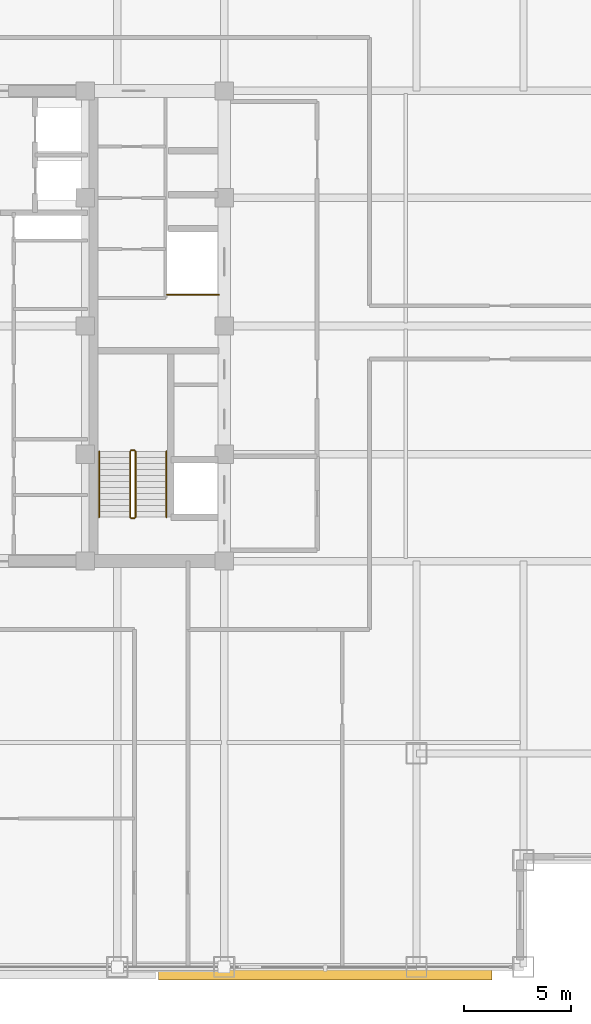
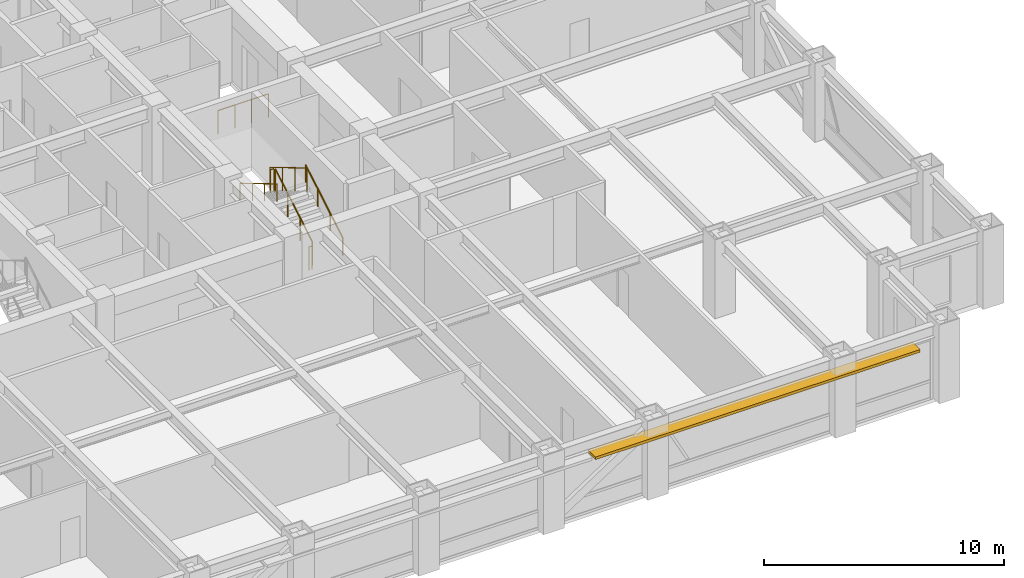
# One storey, part 27 of 29: 7 railings, 1 shading device.
"""IFC4 building model written with IfcOpenShell, lengths in metres."""

from ifc_helpers import new_model, si_unit, direction, frame, origin, origin_2d, place, context, subcontext, project, spatial, rectangle, circle, extrude, source, transform, mapped, material, layer, layer_set, type_object, element, save


model = new_model("IFC4")

# Units and contexts
model_context = context("Model", 3, precision=1e-05, world=origin(), true_north=direction((0.0, 1.0)))
body_context = subcontext(model_context, "Body", "Model", "MODEL_VIEW")
ifc_project = project(units=[si_unit("LENGTHUNIT", "METRE"), si_unit("AREAUNIT", "SQUARE_METRE"), si_unit("VOLUMEUNIT", "CUBIC_METRE"), si_unit("PLANEANGLEUNIT", "RADIAN"), si_unit("MASSUNIT", "GRAM", prefix="KILO")], contexts=[model_context])

# Site, building, storey
site_placement = place(None, origin())
site = spatial("IfcSite", under=ifc_project, at=site_placement, CompositionType="ELEMENT")
building_placement = place(site_placement, origin())
building = spatial("IfcBuilding", under=site, at=building_placement, Name="Khorayat Bourse Tower", CompositionType="ELEMENT")
storey_placement = place(building_placement, frame((0.0, 0.0, 243.10009765625)))
storey = spatial("IfcBuildingStorey", under=building, at=storey_placement, Name="L57", CompositionType="ELEMENT", Elevation=243.10009765625)

# Shading device
ifc_material_1 = material(Name="Precast concrete C45/55", Category="concrete")
ifc_layer = layer(ifc_material_1, 0.139892578125)
ifc_layer_set = layer_set([ifc_layer], Name="Precast concrete C45/55")
shading_device_type = type_object("IfcShadingDeviceType", Name="SHD-WAVE-TRAY-A", PredefinedType="USERDEFINED", material=ifc_layer_set)
shared_shape_1 = source(origin(), body_context, "Body", "SweptSolid", [
    extrude(rectangle(XDim=15.59326171875, YDim=0.626220703125, at=origin_2d()), origin(), (0.0, 0.0, 1.0), 0.139892578125),
])
shading_device_placement = place(storey_placement, frame((15.7333984375, -30.293212890625, 3.02978515625), z_axis=(0.0, 0.0, 1.0), x_axis=(1.0, 0.0, 0.0)))
element("IfcShadingDevice", 1, at=shading_device_placement, inside=storey, type_object=shading_device_type, Name="L57 Sinusoidal Wave Sunshade Tray S-3", ObjectType="SUNSHADE", PredefinedType="USERDEFINED", context=body_context, shape_type="MappedRepresentation", body=[
    mapped(shared_shape_1, transform((0.0, 0.0, 0.0), scale=1.0)),
])

# Railings
ifc_material_2 = material(Name="Powder-coated steel balustrade", Category="steel")
railing_type_1 = type_object("IfcRailingType", Name="RLG-GUARD-1200", PredefinedType="GUARDRAIL", material=ifc_material_2)
shared_shape_2 = source(origin(), body_context, "Body", "SweptSolid", [
    extrude(circle(Radius=0.02392578125, at=origin_2d()), frame((0.0, 0.0, 1.17578125), z_axis=(-1.0, 0.0, 0.0), x_axis=(0.0, -1.0, 0.0)), (0.0, 0.0, 1.0), 0.150146484375),
    extrude(circle(Radius=0.02099609375, at=origin_2d()), origin(), (0.0, 0.0, 1.0), 1.15185546875),
    extrude(circle(Radius=0.02099609375, at=origin_2d()), frame((-0.150146484375, 0.0, 0.0)), (0.0, 0.0, 1.0), 1.15185546875),
])
for number, where, name in (
    (2, (6.800048828125, -5.820068359375, 2.0), "L57 ST-3 stair guard 2"),
    (3, (6.800048828125, -9.0, 0.0), "L57 ST-3 stair guard 4"),
):
    element("IfcRailing", number, at=place(storey_placement, frame(where)), inside=storey, type_object=railing_type_1, Name=name, PredefinedType="GUARDRAIL", context=body_context, shape_type="MappedRepresentation", body=[
        mapped(shared_shape_2, transform((0.0, 0.0, 0.0), scale=1.0)),
    ])
shared_shape_3 = source(origin(), body_context, "Body", "SweptSolid", [
    extrude(circle(Radius=0.02392578125, at=origin_2d()), frame((0.0, 0.0, 1.17578125), z_axis=(0.0, 0.859260807169, 0.511537745687), x_axis=(-1.0, 0.0, 0.0)), (0.0, 0.0, 1.0), 3.584228515625),
    extrude(circle(Radius=0.02099609375, at=origin_2d()), origin(), (0.0, 0.0, 1.0), 1.15185546875),
    extrude(circle(Radius=0.02099609375, at=origin_2d()), frame((0.0, 1.026611328125, 0.611083984375)), (0.0, 0.0, 1.0), 1.15185546875),
    extrude(circle(Radius=0.02099609375, at=origin_2d()), frame((0.0, 2.05322265625, 1.222412109375)), (0.0, 0.0, 1.0), 1.15185546875),
    extrude(circle(Radius=0.02099609375, at=origin_2d()), frame((0.0, 3.079833984375, 1.83349609375)), (0.0, 0.0, 1.0), 1.15185546875),
])
railing_1_placement = place(storey_placement, frame((6.85009765625, -8.949951171875, 0.16650390625)))
element("IfcRailing", 4, at=railing_1_placement, inside=storey, type_object=railing_type_1, Name="L57 ST-3 stair guard 1", PredefinedType="GUARDRAIL", context=body_context, shape_type="MappedRepresentation", body=[
    mapped(shared_shape_3, transform((0.0, 0.0, 0.0), scale=1.0)),
])
shared_shape_4 = source(origin(), body_context, "Body", "SweptSolid", [
    extrude(circle(Radius=0.02392578125, at=origin_2d()), frame((0.0, 0.0, 1.17578125), z_axis=(0.0, -0.859260807169, 0.511537745687), x_axis=(1.0, 0.0, 0.0)), (0.0, 0.0, 1.0), 3.584228515625),
    extrude(circle(Radius=0.02099609375, at=origin_2d()), origin(), (0.0, 0.0, 1.0), 1.15185546875),
    extrude(circle(Radius=0.02099609375, at=origin_2d()), frame((0.0, -1.026611328125, 0.611083984375)), (0.0, 0.0, 1.0), 1.15185546875),
    extrude(circle(Radius=0.02099609375, at=origin_2d()), frame((0.0, -2.05322265625, 1.222412109375)), (0.0, 0.0, 1.0), 1.15185546875),
    extrude(circle(Radius=0.02099609375, at=origin_2d()), frame((0.0, -3.079833984375, 1.83349609375)), (0.0, 0.0, 1.0), 1.15185546875),
])
railing_2_placement = place(storey_placement, frame((6.60009765625, -5.8701171875, 2.16650390625)))
element("IfcRailing", 5, at=railing_2_placement, inside=storey, type_object=railing_type_1, Name="L57 ST-3 stair guard 3", PredefinedType="GUARDRAIL", context=body_context, shape_type="MappedRepresentation", body=[
    mapped(shared_shape_4, transform((0.0, 0.0, 0.0), scale=1.0)),
])
ifc_material_3 = material(Name="Brushed bronze stainless-steel handrail", Category="steel")
railing_type_2 = type_object("IfcRailingType", Name="RLG-HAND-900", PredefinedType="HANDRAIL", material=ifc_material_3)
shared_shape_5 = source(origin(), body_context, "Body", "SweptSolid", [
    extrude(circle(Radius=0.02392578125, at=origin_2d()), frame((0.0, 0.0, 0.8759765625), z_axis=(0.0, 0.859260807169, 0.511537745687), x_axis=(-1.0, 0.0, 0.0)), (0.0, 0.0, 1.0), 3.584228515625),
    extrude(circle(Radius=0.02099609375, at=origin_2d()), origin(), (0.0, 0.0, 1.0), 0.851806640625),
    extrude(circle(Radius=0.02099609375, at=origin_2d()), frame((0.0, 1.026611328125, 0.611083984375)), (0.0, 0.0, 1.0), 0.851806640625),
    extrude(circle(Radius=0.02099609375, at=origin_2d()), frame((0.0, 2.05322265625, 1.222412109375)), (0.0, 0.0, 1.0), 0.851806640625),
    extrude(circle(Radius=0.02099609375, at=origin_2d()), frame((0.0, 3.079833984375, 1.83349609375)), (0.0, 0.0, 1.0), 0.851806640625),
])
railing_3_placement = place(storey_placement, frame((8.300048828125, -8.949951171875, 0.16650390625)))
element("IfcRailing", 6, at=railing_3_placement, inside=storey, type_object=railing_type_2, Name="L57 ST-3 stair handrail 1", PredefinedType="HANDRAIL", context=body_context, shape_type="MappedRepresentation", body=[
    mapped(shared_shape_5, transform((0.0, 0.0, 0.0), scale=1.0)),
])
shared_shape_6 = source(origin(), body_context, "Body", "SweptSolid", [
    extrude(circle(Radius=0.02392578125, at=origin_2d()), frame((0.0, 0.0, 0.8759765625), z_axis=(0.0, -0.859260807169, 0.511537745687), x_axis=(1.0, 0.0, 0.0)), (0.0, 0.0, 1.0), 3.584228515625),
    extrude(circle(Radius=0.02099609375, at=origin_2d()), origin(), (0.0, 0.0, 1.0), 0.851806640625),
    extrude(circle(Radius=0.02099609375, at=origin_2d()), frame((0.0, -1.026611328125, 0.611083984375)), (0.0, 0.0, 1.0), 0.851806640625),
    extrude(circle(Radius=0.02099609375, at=origin_2d()), frame((0.0, -2.05322265625, 1.222412109375)), (0.0, 0.0, 1.0), 0.851806640625),
    extrude(circle(Radius=0.02099609375, at=origin_2d()), frame((0.0, -3.079833984375, 1.83349609375)), (0.0, 0.0, 1.0), 0.851806640625),
])
railing_4_placement = place(storey_placement, frame((5.14990234375, -5.8701171875, 2.16650390625)))
element("IfcRailing", 7, at=railing_4_placement, inside=storey, type_object=railing_type_2, Name="L57 ST-3 stair handrail 2", PredefinedType="HANDRAIL", context=body_context, shape_type="MappedRepresentation", body=[
    mapped(shared_shape_6, transform((0.0, 0.0, 0.0), scale=1.0)),
])
shared_shape_7 = source(origin(), body_context, "Body", "SweptSolid", [
    extrude(circle(Radius=0.02392578125, at=origin_2d()), frame((0.0, 0.0, 1.17578125), z_axis=(1.0, 0.0, 0.0), x_axis=(0.0, 1.0, 0.0)), (0.0, 0.0, 1.0), 2.429931640625),
    extrude(circle(Radius=0.02099609375, at=origin_2d()), origin(), (0.0, 0.0, 1.0), 1.15185546875),
    extrude(circle(Radius=0.02099609375, at=origin_2d()), frame((0.81005859375, 0.0, 0.0)), (0.0, 0.0, 1.0), 1.15185546875),
    extrude(circle(Radius=0.02099609375, at=origin_2d()), frame((1.619873046875, 0.0, 0.0)), (0.0, 0.0, 1.0), 1.15185546875),
    extrude(circle(Radius=0.02099609375, at=origin_2d()), frame((2.429931640625, 0.0, 0.0)), (0.0, 0.0, 1.0), 1.15185546875),
])
railing_5_placement = place(storey_placement, frame((8.320068359375, 1.4599609375, 0.0)))
element("IfcRailing", 8, at=railing_5_placement, inside=storey, type_object=railing_type_1, Name="L57 Goods Shaft Opening Guardrail", PredefinedType="GUARDRAIL", context=body_context, shape_type="MappedRepresentation", body=[
    mapped(shared_shape_7, transform((0.0, 0.0, 0.0), scale=1.0)),
])

save(model, "model.ifc")
